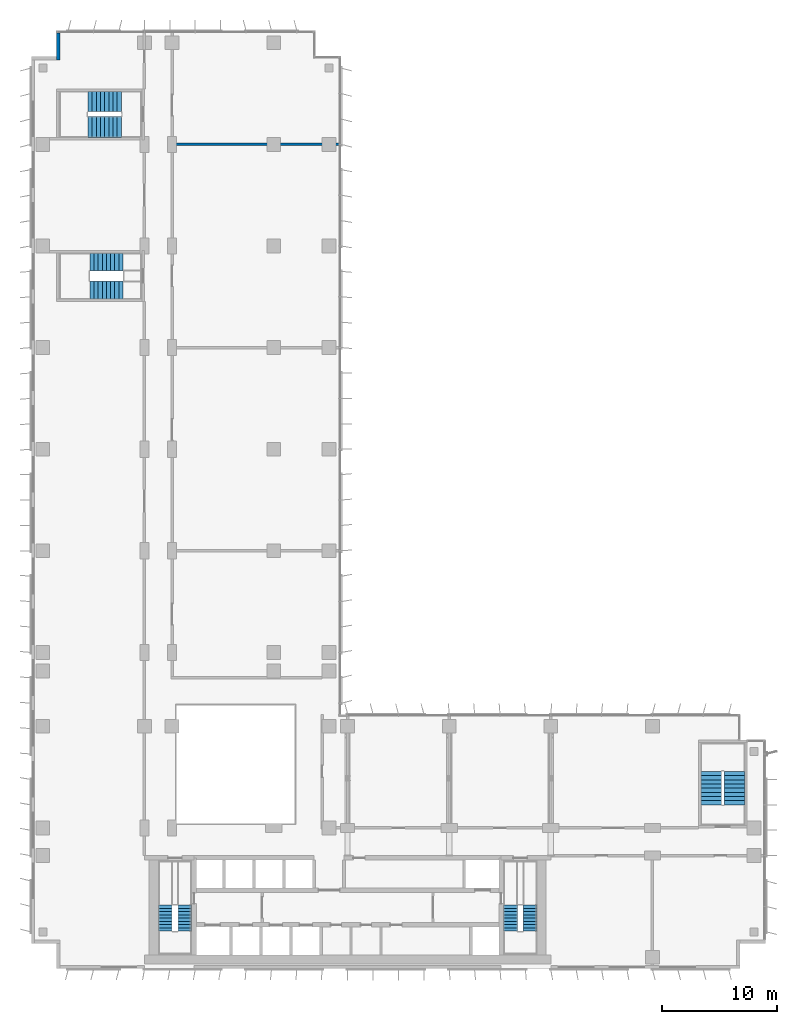
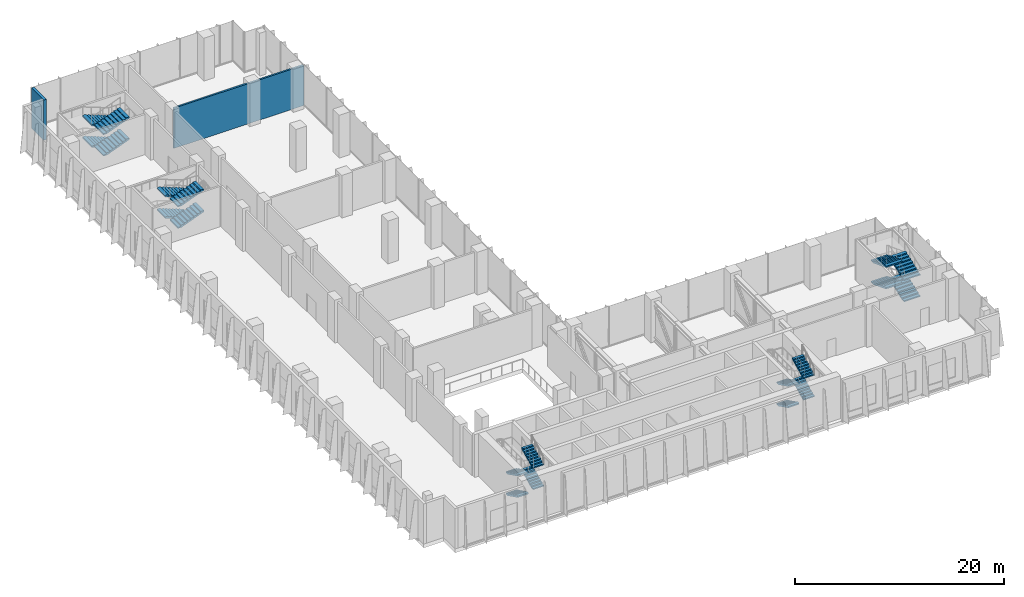
# One storey, part 15 of 21: 20 stair flights, 2 walls, 5 elements without a shape of their own.
"""IFC4 building model written with IfcOpenShell, lengths in metres."""

from ifc_helpers import new_model, si_unit, direction, frame, frame_2d, origin, place, context, subcontext, project, spatial, polyline, rectangle, outline, extrude, material, layer, layer_set, type_object, element, aggregate, save


model = new_model("IFC4")

# Units and contexts
model_context = context("Model", 3, precision=1e-05, world=origin(), true_north=direction((0.0, 1.0)))
body_context = subcontext(model_context, "Body", "Model", "MODEL_VIEW")
ifc_project = project(units=[si_unit("LENGTHUNIT", "METRE"), si_unit("AREAUNIT", "SQUARE_METRE"), si_unit("VOLUMEUNIT", "CUBIC_METRE"), si_unit("PLANEANGLEUNIT", "RADIAN"), si_unit("MASSUNIT", "GRAM", prefix="KILO")], contexts=[model_context])

# Site, building, storey
site_placement = place(None, origin())
site = spatial("IfcSite", under=ifc_project, at=site_placement, CompositionType="ELEMENT")
building_placement = place(site_placement, origin())
building = spatial("IfcBuilding", under=site, at=building_placement, Name="Kemantara Hotel Tower", CompositionType="ELEMENT")
storey_placement = place(building_placement, frame((0.0, 0.0, 133.300048828125)))
storey = spatial("IfcBuildingStorey", under=building, at=storey_placement, Name="L32", CompositionType="ELEMENT", Elevation=133.300048828125)

# Walls
ifc_material_1 = material(Name="Bronze anodised aluminium cladding on insulated steel stud wall", Category="steel")
ifc_layer_1 = layer(ifc_material_1, 0.300048828125)
ifc_layer_set_1 = layer_set([ifc_layer_1], Name="Bronze anodised aluminium cladding on insulated steel stud wall")
wall_type_1 = type_object("IfcWallType", Name="BRONZE METAL-CLAD EXTERNAL WALL 300", PredefinedType="STANDARD", material=ifc_layer_set_1)
wall_1_placement = place(storey_placement, frame((2.35009765625, 81.050048828125, 0.0), z_axis=(0.0, 0.0, 1.0), x_axis=(0.0, -1.0, 0.0)))
element("IfcWall", 1, at=wall_1_placement, inside=storey, type_object=wall_type_1, Name="EXTERNAL WALL L32 T2-R02", PredefinedType="STANDARD", context=body_context, shape_type="SweptSolid", body=[
    extrude(rectangle(XDim=2.35009765625, YDim=0.300048828125, at=frame_2d((1.175048828125, 0.0))), origin(), (0.0, 0.0, 1.0), 4.699951171875),
])
ifc_material_2 = material(Name="Clay brick masonry", Category="masonry")
ifc_layer_2 = layer(ifc_material_2, 0.199951171875)
ifc_layer_set_2 = layer_set([ifc_layer_2], Name="Clay brick masonry")
wall_type_2 = type_object("IfcWallType", Name="FIRE-RATED CLAY BRICK WALL 200 EI 120", PredefinedType="PARTITIONING", material=ifc_layer_set_2)
wall_2_placement = place(storey_placement, frame((12.300048828125, 71.39990234375, 0.0), z_axis=(0.0, 0.0, 1.0), x_axis=(1.0, 0.0, 0.0)))
element("IfcWall", 2, at=wall_2_placement, inside=storey, type_object=wall_type_2, Name="FIRE WALL", PredefinedType="PARTITIONING", context=body_context, shape_type="SweptSolid", body=[
    extrude(rectangle(XDim=14.349853515625, YDim=0.199951171875, at=frame_2d((7.1748046875, 0.0))), origin(), (0.0, 0.0, 1.0), 4.699951171875),
])

# Stair, stair flights
ifc_material_3 = material(Name="Concrete fc 40 MPa", Category="concrete")
stair_type_1 = type_object("IfcStairType", Name="Stair 1200 wide 36 risers of 139 x 280 mm", PredefinedType="HALF_TURN_STAIR", material=ifc_material_3)
stair_1_placement = place(storey_placement, origin())
stair_1 = element("IfcStair", 3, at=stair_1_placement, inside=storey, type_object=stair_type_1, Name="L32 Exit stair ST1", PredefinedType="HALF_TURN_STAIR")
stair_flight_type_1 = type_object("IfcStairFlightType", Name="Stair flight 1200 wide 139 x 280 mm", PredefinedType="STRAIGHT", material=ifc_material_3)
stair_flight_1_placement = place(storey_placement, frame((11.60009765625, 5.5, 0.0), z_axis=(0.0, 0.0, 1.0), x_axis=(0.0, -1.0, 0.0)))
stair_flight_1 = element("IfcStairFlight", 4, at=stair_flight_1_placement, type_object=stair_flight_type_1, Name="ST1 flight 1", NumberOfRisers=9, NumberOfTreads=8, PredefinedType="STRAIGHT", RiserHeight=0.138888889, TreadLength=0.28, context=body_context, shape_type="SweptSolid", body=[
    extrude(outline(polyline([(0.0, 0.0), (0.0, 0.138916015625), (0.280029296875, 0.138916015625), (0.280029296875, 0.27783203125), (0.56005859375, 0.27783203125), (0.56005859375, 0.416748046875), (0.840087890625, 0.416748046875), (0.840087890625, 0.5556640625), (1.1201171875, 0.5556640625), (1.1201171875, 0.6943359375), (1.39990234375, 0.6943359375), (1.39990234375, 0.833251953125), (1.679931640625, 0.833251953125), (1.679931640625, 0.97216796875), (1.9599609375, 0.97216796875), (1.9599609375, 1.111083984375), (2.239990234375, 1.111083984375), (2.239990234375, 1.25), (2.239990234375, 0.94384765625), (0.33740234375, 0.0), (0.0, 0.0)])), frame((0.0, 0.60009765625, 0.0), z_axis=(0.0, -1.0, 0.0), x_axis=(1.0, 0.0, 0.0)), (0.0, 0.0, 1.0), 1.199951171875),
])
stair_flight_2_placement = place(storey_placement, frame((13.300048828125, 3.260009765625, 1.25), z_axis=(0.0, 0.0, 1.0), x_axis=(0.0, 1.0, 0.0)))
stair_flight_2 = element("IfcStairFlight", 5, at=stair_flight_2_placement, type_object=stair_flight_type_1, Name="ST1 flight 2", NumberOfRisers=9, NumberOfTreads=8, PredefinedType="STRAIGHT", RiserHeight=0.138888889, TreadLength=0.28, context=body_context, shape_type="SweptSolid", body=[
    extrude(outline(polyline([(0.0, 0.0), (0.0, 0.138916015625), (0.280029296875, 0.138916015625), (0.280029296875, 0.27783203125), (0.56005859375, 0.27783203125), (0.56005859375, 0.416748046875), (0.840087890625, 0.416748046875), (0.840087890625, 0.5556640625), (1.1201171875, 0.5556640625), (1.1201171875, 0.6943359375), (1.39990234375, 0.6943359375), (1.39990234375, 0.833251953125), (1.679931640625, 0.833251953125), (1.679931640625, 0.97216796875), (1.9599609375, 0.97216796875), (1.9599609375, 1.111083984375), (2.239990234375, 1.111083984375), (2.239990234375, 1.25), (2.239990234375, 0.94384765625), (0.33740234375, 0.0), (0.0, 0.0)])), frame((0.0, 0.60009765625, 0.0), z_axis=(0.0, -1.0, 0.0), x_axis=(1.0, 0.0, 0.0)), (0.0, 0.0, 1.0), 1.199951171875),
])
stair_flight_3_placement = place(storey_placement, frame((11.60009765625, 5.5, 2.5), z_axis=(0.0, 0.0, 1.0), x_axis=(0.0, -1.0, 0.0)))
stair_flight_3 = element("IfcStairFlight", 6, at=stair_flight_3_placement, type_object=stair_flight_type_1, Name="ST1 flight 3", NumberOfRisers=9, NumberOfTreads=8, PredefinedType="STRAIGHT", RiserHeight=0.138888889, TreadLength=0.28, context=body_context, shape_type="SweptSolid", body=[
    extrude(outline(polyline([(0.0, 0.0), (0.0, 0.138916015625), (0.280029296875, 0.138916015625), (0.280029296875, 0.27783203125), (0.56005859375, 0.27783203125), (0.56005859375, 0.416748046875), (0.840087890625, 0.416748046875), (0.840087890625, 0.5556640625), (1.1201171875, 0.5556640625), (1.1201171875, 0.6943359375), (1.39990234375, 0.6943359375), (1.39990234375, 0.833251953125), (1.679931640625, 0.833251953125), (1.679931640625, 0.97216796875), (1.9599609375, 0.97216796875), (1.9599609375, 1.111083984375), (2.239990234375, 1.111083984375), (2.239990234375, 1.25), (2.239990234375, 0.94384765625), (0.33740234375, 0.0), (0.0, 0.0)])), frame((0.0, 0.60009765625, 0.0), z_axis=(0.0, -1.0, 0.0), x_axis=(1.0, 0.0, 0.0)), (0.0, 0.0, 1.0), 1.199951171875),
])
stair_flight_4_placement = place(storey_placement, frame((13.300048828125, 3.260009765625, 3.75), z_axis=(0.0, 0.0, 1.0), x_axis=(0.0, 1.0, 0.0)))
stair_flight_4 = element("IfcStairFlight", 7, at=stair_flight_4_placement, type_object=stair_flight_type_1, Name="ST1 flight 4", NumberOfRisers=9, NumberOfTreads=8, PredefinedType="STRAIGHT", RiserHeight=0.138888889, TreadLength=0.28, context=body_context, shape_type="SweptSolid", body=[
    extrude(outline(polyline([(0.0, 0.0), (0.0, 0.138916015625), (0.280029296875, 0.138916015625), (0.280029296875, 0.27783203125), (0.56005859375, 0.27783203125), (0.56005859375, 0.416748046875), (0.840087890625, 0.416748046875), (0.840087890625, 0.5556640625), (1.1201171875, 0.5556640625), (1.1201171875, 0.6943359375), (1.39990234375, 0.6943359375), (1.39990234375, 0.833251953125), (1.679931640625, 0.833251953125), (1.679931640625, 0.97216796875), (1.9599609375, 0.97216796875), (1.9599609375, 1.111083984375), (2.239990234375, 1.111083984375), (2.239990234375, 1.25), (2.239990234375, 0.94384765625), (0.33740234375, 0.0), (0.0, 0.0)])), frame((0.0, 0.60009765625, 0.0), z_axis=(0.0, -1.0, 0.0), x_axis=(1.0, 0.0, 0.0)), (0.0, 0.0, 1.0), 1.199951171875),
])
aggregate(stair_1, [stair_flight_1, stair_flight_2, stair_flight_3, stair_flight_4])

stair_2_placement = place(storey_placement, origin())
stair_2 = element("IfcStair", 8, at=stair_2_placement, inside=storey, type_object=stair_type_1, Name="L32 Exit stair ST2", PredefinedType="HALF_TURN_STAIR")
stair_flight_5_placement = place(storey_placement, frame((41.5, 5.5, 0.0), z_axis=(0.0, 0.0, 1.0), x_axis=(0.0, -1.0, 0.0)))
stair_flight_5 = element("IfcStairFlight", 9, at=stair_flight_5_placement, type_object=stair_flight_type_1, Name="ST2 flight 1", NumberOfRisers=9, NumberOfTreads=8, PredefinedType="STRAIGHT", RiserHeight=0.138888889, TreadLength=0.28, context=body_context, shape_type="SweptSolid", body=[
    extrude(outline(polyline([(0.0, 0.0), (0.0, 0.138916015625), (0.280029296875, 0.138916015625), (0.280029296875, 0.27783203125), (0.56005859375, 0.27783203125), (0.56005859375, 0.416748046875), (0.840087890625, 0.416748046875), (0.840087890625, 0.5556640625), (1.1201171875, 0.5556640625), (1.1201171875, 0.6943359375), (1.39990234375, 0.6943359375), (1.39990234375, 0.833251953125), (1.679931640625, 0.833251953125), (1.679931640625, 0.97216796875), (1.9599609375, 0.97216796875), (1.9599609375, 1.111083984375), (2.239990234375, 1.111083984375), (2.239990234375, 1.25), (2.239990234375, 0.94384765625), (0.33740234375, 0.0), (0.0, 0.0)])), frame((0.0, 0.60009765625, 0.0), z_axis=(0.0, -1.0, 0.0), x_axis=(1.0, 0.0, 0.0)), (0.0, 0.0, 1.0), 1.199951171875),
])
stair_flight_6_placement = place(storey_placement, frame((43.199951171875, 3.260009765625, 1.25), z_axis=(0.0, 0.0, 1.0), x_axis=(0.0, 1.0, 0.0)))
stair_flight_6 = element("IfcStairFlight", 10, at=stair_flight_6_placement, type_object=stair_flight_type_1, Name="ST2 flight 2", NumberOfRisers=9, NumberOfTreads=8, PredefinedType="STRAIGHT", RiserHeight=0.138888889, TreadLength=0.28, context=body_context, shape_type="SweptSolid", body=[
    extrude(outline(polyline([(0.0, 0.0), (0.0, 0.138916015625), (0.280029296875, 0.138916015625), (0.280029296875, 0.27783203125), (0.56005859375, 0.27783203125), (0.56005859375, 0.416748046875), (0.840087890625, 0.416748046875), (0.840087890625, 0.5556640625), (1.1201171875, 0.5556640625), (1.1201171875, 0.6943359375), (1.39990234375, 0.6943359375), (1.39990234375, 0.833251953125), (1.679931640625, 0.833251953125), (1.679931640625, 0.97216796875), (1.9599609375, 0.97216796875), (1.9599609375, 1.111083984375), (2.239990234375, 1.111083984375), (2.239990234375, 1.25), (2.239990234375, 0.94384765625), (0.33740234375, 0.0), (0.0, 0.0)])), frame((0.0, 0.60009765625, 0.0), z_axis=(0.0, -1.0, 0.0), x_axis=(1.0, 0.0, 0.0)), (0.0, 0.0, 1.0), 1.199951171875),
])
stair_flight_7_placement = place(storey_placement, frame((41.5, 5.5, 2.5), z_axis=(0.0, 0.0, 1.0), x_axis=(0.0, -1.0, 0.0)))
stair_flight_7 = element("IfcStairFlight", 11, at=stair_flight_7_placement, type_object=stair_flight_type_1, Name="ST2 flight 3", NumberOfRisers=9, NumberOfTreads=8, PredefinedType="STRAIGHT", RiserHeight=0.138888889, TreadLength=0.28, context=body_context, shape_type="SweptSolid", body=[
    extrude(outline(polyline([(0.0, 0.0), (0.0, 0.138916015625), (0.280029296875, 0.138916015625), (0.280029296875, 0.27783203125), (0.56005859375, 0.27783203125), (0.56005859375, 0.416748046875), (0.840087890625, 0.416748046875), (0.840087890625, 0.5556640625), (1.1201171875, 0.5556640625), (1.1201171875, 0.6943359375), (1.39990234375, 0.6943359375), (1.39990234375, 0.833251953125), (1.679931640625, 0.833251953125), (1.679931640625, 0.97216796875), (1.9599609375, 0.97216796875), (1.9599609375, 1.111083984375), (2.239990234375, 1.111083984375), (2.239990234375, 1.25), (2.239990234375, 0.94384765625), (0.33740234375, 0.0), (0.0, 0.0)])), frame((0.0, 0.60009765625, 0.0), z_axis=(0.0, -1.0, 0.0), x_axis=(1.0, 0.0, 0.0)), (0.0, 0.0, 1.0), 1.199951171875),
])
stair_flight_8_placement = place(storey_placement, frame((43.199951171875, 3.260009765625, 3.75), z_axis=(0.0, 0.0, 1.0), x_axis=(0.0, 1.0, 0.0)))
stair_flight_8 = element("IfcStairFlight", 12, at=stair_flight_8_placement, type_object=stair_flight_type_1, Name="ST2 flight 4", NumberOfRisers=9, NumberOfTreads=8, PredefinedType="STRAIGHT", RiserHeight=0.138888889, TreadLength=0.28, context=body_context, shape_type="SweptSolid", body=[
    extrude(outline(polyline([(0.0, 0.0), (0.0, 0.138916015625), (0.280029296875, 0.138916015625), (0.280029296875, 0.27783203125), (0.56005859375, 0.27783203125), (0.56005859375, 0.416748046875), (0.840087890625, 0.416748046875), (0.840087890625, 0.5556640625), (1.1201171875, 0.5556640625), (1.1201171875, 0.6943359375), (1.39990234375, 0.6943359375), (1.39990234375, 0.833251953125), (1.679931640625, 0.833251953125), (1.679931640625, 0.97216796875), (1.9599609375, 0.97216796875), (1.9599609375, 1.111083984375), (2.239990234375, 1.111083984375), (2.239990234375, 1.25), (2.239990234375, 0.94384765625), (0.33740234375, 0.0), (0.0, 0.0)])), frame((0.0, 0.60009765625, 0.0), z_axis=(0.0, -1.0, 0.0), x_axis=(1.0, 0.0, 0.0)), (0.0, 0.0, 1.0), 1.199951171875),
])
aggregate(stair_2, [stair_flight_5, stair_flight_6, stair_flight_7, stair_flight_8])

stair_type_2 = type_object("IfcStairType", Name="Stair 1550 wide 36 risers of 139 x 360 mm", PredefinedType="HALF_TURN_STAIR", material=ifc_material_3)
stair_3_placement = place(storey_placement, origin())
stair_3 = element("IfcStair", 13, at=stair_3_placement, inside=storey, type_object=stair_type_2, Name="L32 Exit stair ST4", PredefinedType="HALF_TURN_STAIR")
stair_flight_type_2 = type_object("IfcStairFlightType", Name="Stair flight 1550 wide 139 x 360 mm", PredefinedType="STRAIGHT", material=ifc_material_3)
stair_flight_9_placement = place(storey_placement, frame((7.949951171875, 61.22509765625, 0.0), z_axis=(0.0, 0.0, 1.0), x_axis=(-1.0, 0.0, 0.0)))
stair_flight_9 = element("IfcStairFlight", 14, at=stair_flight_9_placement, type_object=stair_flight_type_2, Name="ST4 flight 1", NumberOfRisers=9, NumberOfTreads=8, PredefinedType="STRAIGHT", RiserHeight=0.138888889, TreadLength=0.36, context=body_context, shape_type="SweptSolid", body=[
    extrude(outline(polyline([(0.0, 0.0), (0.0, 0.138916015625), (0.360107421875, 0.138916015625), (0.360107421875, 0.27783203125), (0.719970703125, 0.27783203125), (0.719970703125, 0.416748046875), (1.080078125, 0.416748046875), (1.080078125, 0.5556640625), (1.43994140625, 0.5556640625), (1.43994140625, 0.6943359375), (1.800048828125, 0.6943359375), (1.800048828125, 0.833251953125), (2.159912109375, 0.833251953125), (2.159912109375, 0.97216796875), (2.52001953125, 0.97216796875), (2.52001953125, 1.111083984375), (2.8798828125, 1.111083984375), (2.8798828125, 1.25), (2.8798828125, 0.950439453125), (0.41650390625, 0.0), (0.0, 0.0)])), frame((0.0, 0.77490234375, 0.0), z_axis=(0.0, -1.0, 0.0), x_axis=(1.0, 0.0, 0.0)), (0.0, 0.0, 1.0), 1.550048828125),
])
stair_flight_10_placement = place(storey_placement, frame((5.070068359375, 58.77490234375, 1.25), z_axis=(0.0, 0.0, 1.0), x_axis=(1.0, 0.0, 0.0)))
stair_flight_10 = element("IfcStairFlight", 15, at=stair_flight_10_placement, type_object=stair_flight_type_2, Name="ST4 flight 2", NumberOfRisers=9, NumberOfTreads=8, PredefinedType="STRAIGHT", RiserHeight=0.138888889, TreadLength=0.36, context=body_context, shape_type="SweptSolid", body=[
    extrude(outline(polyline([(0.0, 0.0), (0.0, 0.138916015625), (0.360107421875, 0.138916015625), (0.360107421875, 0.27783203125), (0.719970703125, 0.27783203125), (0.719970703125, 0.416748046875), (1.080078125, 0.416748046875), (1.080078125, 0.5556640625), (1.43994140625, 0.5556640625), (1.43994140625, 0.6943359375), (1.800048828125, 0.6943359375), (1.800048828125, 0.833251953125), (2.159912109375, 0.833251953125), (2.159912109375, 0.97216796875), (2.52001953125, 0.97216796875), (2.52001953125, 1.111083984375), (2.8798828125, 1.111083984375), (2.8798828125, 1.25), (2.8798828125, 0.950439453125), (0.41650390625, 0.0), (0.0, 0.0)])), frame((0.0, 0.77490234375, 0.0), z_axis=(0.0, -1.0, 0.0), x_axis=(1.0, 0.0, 0.0)), (0.0, 0.0, 1.0), 1.550048828125),
])
stair_flight_11_placement = place(storey_placement, frame((7.949951171875, 61.22509765625, 2.5), z_axis=(0.0, 0.0, 1.0), x_axis=(-1.0, 0.0, 0.0)))
stair_flight_11 = element("IfcStairFlight", 16, at=stair_flight_11_placement, type_object=stair_flight_type_2, Name="ST4 flight 3", NumberOfRisers=9, NumberOfTreads=8, PredefinedType="STRAIGHT", RiserHeight=0.138888889, TreadLength=0.36, context=body_context, shape_type="SweptSolid", body=[
    extrude(outline(polyline([(0.0, 0.0), (0.0, 0.138916015625), (0.360107421875, 0.138916015625), (0.360107421875, 0.27783203125), (0.719970703125, 0.27783203125), (0.719970703125, 0.416748046875), (1.080078125, 0.416748046875), (1.080078125, 0.5556640625), (1.43994140625, 0.5556640625), (1.43994140625, 0.6943359375), (1.800048828125, 0.6943359375), (1.800048828125, 0.833251953125), (2.159912109375, 0.833251953125), (2.159912109375, 0.97216796875), (2.52001953125, 0.97216796875), (2.52001953125, 1.111083984375), (2.8798828125, 1.111083984375), (2.8798828125, 1.25), (2.8798828125, 0.950439453125), (0.41650390625, 0.0), (0.0, 0.0)])), frame((0.0, 0.77490234375, 0.0), z_axis=(0.0, -1.0, 0.0), x_axis=(1.0, 0.0, 0.0)), (0.0, 0.0, 1.0), 1.550048828125),
])
stair_flight_12_placement = place(storey_placement, frame((5.070068359375, 58.77490234375, 3.75), z_axis=(0.0, 0.0, 1.0), x_axis=(1.0, 0.0, 0.0)))
stair_flight_12 = element("IfcStairFlight", 17, at=stair_flight_12_placement, type_object=stair_flight_type_2, Name="ST4 flight 4", NumberOfRisers=9, NumberOfTreads=8, PredefinedType="STRAIGHT", RiserHeight=0.138888889, TreadLength=0.36, context=body_context, shape_type="SweptSolid", body=[
    extrude(outline(polyline([(0.0, 0.0), (0.0, 0.138916015625), (0.360107421875, 0.138916015625), (0.360107421875, 0.27783203125), (0.719970703125, 0.27783203125), (0.719970703125, 0.416748046875), (1.080078125, 0.416748046875), (1.080078125, 0.5556640625), (1.43994140625, 0.5556640625), (1.43994140625, 0.6943359375), (1.800048828125, 0.6943359375), (1.800048828125, 0.833251953125), (2.159912109375, 0.833251953125), (2.159912109375, 0.97216796875), (2.52001953125, 0.97216796875), (2.52001953125, 1.111083984375), (2.8798828125, 1.111083984375), (2.8798828125, 1.25), (2.8798828125, 0.950439453125), (0.41650390625, 0.0), (0.0, 0.0)])), frame((0.0, 0.77490234375, 0.0), z_axis=(0.0, -1.0, 0.0), x_axis=(1.0, 0.0, 0.0)), (0.0, 0.0, 1.0), 1.550048828125),
])
aggregate(stair_3, [stair_flight_9, stair_flight_10, stair_flight_11, stair_flight_12])

stair_type_3 = type_object("IfcStairType", Name="Stair 1800 wide 36 risers of 139 x 360 mm", PredefinedType="HALF_TURN_STAIR", material=ifc_material_3)
stair_4_placement = place(storey_placement, origin())
stair_4 = element("IfcStair", 18, at=stair_4_placement, inside=storey, type_object=stair_type_3, Name="L32 Exit stair ST3", PredefinedType="HALF_TURN_STAIR")
stair_flight_type_3 = type_object("IfcStairFlightType", Name="Stair flight 1800 wide 139 x 360 mm", PredefinedType="STRAIGHT", material=ifc_material_3)
stair_flight_13_placement = place(storey_placement, frame((60.89990234375, 14.199951171875, 0.0), z_axis=(0.0, 0.0, 1.0), x_axis=(0.0, 1.0, 0.0)))
stair_flight_13 = element("IfcStairFlight", 19, at=stair_flight_13_placement, type_object=stair_flight_type_3, Name="ST3 flight 1", NumberOfRisers=9, NumberOfTreads=8, PredefinedType="STRAIGHT", RiserHeight=0.138888889, TreadLength=0.36, context=body_context, shape_type="SweptSolid", body=[
    extrude(outline(polyline([(0.0, 0.0), (0.0, 0.138916015625), (0.360107421875, 0.138916015625), (0.360107421875, 0.27783203125), (0.719970703125, 0.27783203125), (0.719970703125, 0.416748046875), (1.080078125, 0.416748046875), (1.080078125, 0.5556640625), (1.43994140625, 0.5556640625), (1.43994140625, 0.6943359375), (1.800048828125, 0.6943359375), (1.800048828125, 0.833251953125), (2.159912109375, 0.833251953125), (2.159912109375, 0.97216796875), (2.52001953125, 0.97216796875), (2.52001953125, 1.111083984375), (2.8798828125, 1.111083984375), (2.8798828125, 1.25), (2.8798828125, 0.950439453125), (0.41650390625, 0.0), (0.0, 0.0)])), frame((0.0, 0.89990234375, 0.0), z_axis=(0.0, -1.0, 0.0), x_axis=(1.0, 0.0, 0.0)), (0.0, 0.0, 1.0), 1.800048828125),
])
stair_flight_14_placement = place(storey_placement, frame((58.89990234375, 17.080078125, 1.25), z_axis=(0.0, 0.0, 1.0), x_axis=(0.0, -1.0, 0.0)))
stair_flight_14 = element("IfcStairFlight", 20, at=stair_flight_14_placement, type_object=stair_flight_type_3, Name="ST3 flight 2", NumberOfRisers=9, NumberOfTreads=8, PredefinedType="STRAIGHT", RiserHeight=0.138888889, TreadLength=0.36, context=body_context, shape_type="SweptSolid", body=[
    extrude(outline(polyline([(0.0, 0.0), (0.0, 0.138916015625), (0.360107421875, 0.138916015625), (0.360107421875, 0.27783203125), (0.719970703125, 0.27783203125), (0.719970703125, 0.416748046875), (1.080078125, 0.416748046875), (1.080078125, 0.5556640625), (1.43994140625, 0.5556640625), (1.43994140625, 0.6943359375), (1.800048828125, 0.6943359375), (1.800048828125, 0.833251953125), (2.159912109375, 0.833251953125), (2.159912109375, 0.97216796875), (2.52001953125, 0.97216796875), (2.52001953125, 1.111083984375), (2.8798828125, 1.111083984375), (2.8798828125, 1.25), (2.8798828125, 0.950439453125), (0.41650390625, 0.0), (0.0, 0.0)])), frame((0.0, 0.89990234375, 0.0), z_axis=(0.0, -1.0, 0.0), x_axis=(1.0, 0.0, 0.0)), (0.0, 0.0, 1.0), 1.800048828125),
])
stair_flight_15_placement = place(storey_placement, frame((60.89990234375, 14.199951171875, 2.5), z_axis=(0.0, 0.0, 1.0), x_axis=(0.0, 1.0, 0.0)))
stair_flight_15 = element("IfcStairFlight", 21, at=stair_flight_15_placement, type_object=stair_flight_type_3, Name="ST3 flight 3", NumberOfRisers=9, NumberOfTreads=8, PredefinedType="STRAIGHT", RiserHeight=0.138888889, TreadLength=0.36, context=body_context, shape_type="SweptSolid", body=[
    extrude(outline(polyline([(0.0, 0.0), (0.0, 0.138916015625), (0.360107421875, 0.138916015625), (0.360107421875, 0.27783203125), (0.719970703125, 0.27783203125), (0.719970703125, 0.416748046875), (1.080078125, 0.416748046875), (1.080078125, 0.5556640625), (1.43994140625, 0.5556640625), (1.43994140625, 0.6943359375), (1.800048828125, 0.6943359375), (1.800048828125, 0.833251953125), (2.159912109375, 0.833251953125), (2.159912109375, 0.97216796875), (2.52001953125, 0.97216796875), (2.52001953125, 1.111083984375), (2.8798828125, 1.111083984375), (2.8798828125, 1.25), (2.8798828125, 0.950439453125), (0.41650390625, 0.0), (0.0, 0.0)])), frame((0.0, 0.89990234375, 0.0), z_axis=(0.0, -1.0, 0.0), x_axis=(1.0, 0.0, 0.0)), (0.0, 0.0, 1.0), 1.800048828125),
])
stair_flight_16_placement = place(storey_placement, frame((58.89990234375, 17.080078125, 3.75), z_axis=(0.0, 0.0, 1.0), x_axis=(0.0, -1.0, 0.0)))
stair_flight_16 = element("IfcStairFlight", 22, at=stair_flight_16_placement, type_object=stair_flight_type_3, Name="ST3 flight 4", NumberOfRisers=9, NumberOfTreads=8, PredefinedType="STRAIGHT", RiserHeight=0.138888889, TreadLength=0.36, context=body_context, shape_type="SweptSolid", body=[
    extrude(outline(polyline([(0.0, 0.0), (0.0, 0.138916015625), (0.360107421875, 0.138916015625), (0.360107421875, 0.27783203125), (0.719970703125, 0.27783203125), (0.719970703125, 0.416748046875), (1.080078125, 0.416748046875), (1.080078125, 0.5556640625), (1.43994140625, 0.5556640625), (1.43994140625, 0.6943359375), (1.800048828125, 0.6943359375), (1.800048828125, 0.833251953125), (2.159912109375, 0.833251953125), (2.159912109375, 0.97216796875), (2.52001953125, 0.97216796875), (2.52001953125, 1.111083984375), (2.8798828125, 1.111083984375), (2.8798828125, 1.25), (2.8798828125, 0.950439453125), (0.41650390625, 0.0), (0.0, 0.0)])), frame((0.0, 0.89990234375, 0.0), z_axis=(0.0, -1.0, 0.0), x_axis=(1.0, 0.0, 0.0)), (0.0, 0.0, 1.0), 1.800048828125),
])
aggregate(stair_4, [stair_flight_13, stair_flight_14, stair_flight_15, stair_flight_16])

stair_5_placement = place(storey_placement, origin())
stair_5 = element("IfcStair", 23, at=stair_5_placement, inside=storey, type_object=stair_type_3, Name="L32 Exit stair ST6", PredefinedType="HALF_TURN_STAIR")
stair_flight_17_placement = place(storey_placement, frame((7.800048828125, 75.10009765625, 0.0), z_axis=(0.0, 0.0, 1.0), x_axis=(-1.0, 0.0, 0.0)))
stair_flight_17 = element("IfcStairFlight", 24, at=stair_flight_17_placement, type_object=stair_flight_type_3, Name="ST6 flight 1", NumberOfRisers=9, NumberOfTreads=8, PredefinedType="STRAIGHT", RiserHeight=0.138888889, TreadLength=0.36, context=body_context, shape_type="SweptSolid", body=[
    extrude(outline(polyline([(0.0, 0.0), (0.0, 0.138916015625), (0.360107421875, 0.138916015625), (0.360107421875, 0.27783203125), (0.719970703125, 0.27783203125), (0.719970703125, 0.416748046875), (1.080078125, 0.416748046875), (1.080078125, 0.5556640625), (1.43994140625, 0.5556640625), (1.43994140625, 0.6943359375), (1.800048828125, 0.6943359375), (1.800048828125, 0.833251953125), (2.159912109375, 0.833251953125), (2.159912109375, 0.97216796875), (2.52001953125, 0.97216796875), (2.52001953125, 1.111083984375), (2.8798828125, 1.111083984375), (2.8798828125, 1.25), (2.8798828125, 0.950439453125), (0.41650390625, 0.0), (0.0, 0.0)])), frame((0.0, 0.89990234375, 0.0), z_axis=(0.0, -1.0, 0.0), x_axis=(1.0, 0.0, 0.0)), (0.0, 0.0, 1.0), 1.800048828125),
])
stair_flight_18_placement = place(storey_placement, frame((4.919921875, 72.89990234375, 1.25), z_axis=(0.0, 0.0, 1.0), x_axis=(1.0, 0.0, 0.0)))
stair_flight_18 = element("IfcStairFlight", 25, at=stair_flight_18_placement, type_object=stair_flight_type_3, Name="ST6 flight 2", NumberOfRisers=9, NumberOfTreads=8, PredefinedType="STRAIGHT", RiserHeight=0.138888889, TreadLength=0.36, context=body_context, shape_type="SweptSolid", body=[
    extrude(outline(polyline([(0.0, 0.0), (0.0, 0.138916015625), (0.360107421875, 0.138916015625), (0.360107421875, 0.27783203125), (0.719970703125, 0.27783203125), (0.719970703125, 0.416748046875), (1.080078125, 0.416748046875), (1.080078125, 0.5556640625), (1.43994140625, 0.5556640625), (1.43994140625, 0.6943359375), (1.800048828125, 0.6943359375), (1.800048828125, 0.833251953125), (2.159912109375, 0.833251953125), (2.159912109375, 0.97216796875), (2.52001953125, 0.97216796875), (2.52001953125, 1.111083984375), (2.8798828125, 1.111083984375), (2.8798828125, 1.25), (2.8798828125, 0.950439453125), (0.41650390625, 0.0), (0.0, 0.0)])), frame((0.0, 0.89990234375, 0.0), z_axis=(0.0, -1.0, 0.0), x_axis=(1.0, 0.0, 0.0)), (0.0, 0.0, 1.0), 1.800048828125),
])
stair_flight_19_placement = place(storey_placement, frame((7.800048828125, 75.10009765625, 2.5), z_axis=(0.0, 0.0, 1.0), x_axis=(-1.0, 0.0, 0.0)))
stair_flight_19 = element("IfcStairFlight", 26, at=stair_flight_19_placement, type_object=stair_flight_type_3, Name="ST6 flight 3", NumberOfRisers=9, NumberOfTreads=8, PredefinedType="STRAIGHT", RiserHeight=0.138888889, TreadLength=0.36, context=body_context, shape_type="SweptSolid", body=[
    extrude(outline(polyline([(0.0, 0.0), (0.0, 0.138916015625), (0.360107421875, 0.138916015625), (0.360107421875, 0.27783203125), (0.719970703125, 0.27783203125), (0.719970703125, 0.416748046875), (1.080078125, 0.416748046875), (1.080078125, 0.5556640625), (1.43994140625, 0.5556640625), (1.43994140625, 0.6943359375), (1.800048828125, 0.6943359375), (1.800048828125, 0.833251953125), (2.159912109375, 0.833251953125), (2.159912109375, 0.97216796875), (2.52001953125, 0.97216796875), (2.52001953125, 1.111083984375), (2.8798828125, 1.111083984375), (2.8798828125, 1.25), (2.8798828125, 0.950439453125), (0.41650390625, 0.0), (0.0, 0.0)])), frame((0.0, 0.89990234375, 0.0), z_axis=(0.0, -1.0, 0.0), x_axis=(1.0, 0.0, 0.0)), (0.0, 0.0, 1.0), 1.800048828125),
])
stair_flight_20_placement = place(storey_placement, frame((4.919921875, 72.89990234375, 3.75), z_axis=(0.0, 0.0, 1.0), x_axis=(1.0, 0.0, 0.0)))
stair_flight_20 = element("IfcStairFlight", 27, at=stair_flight_20_placement, type_object=stair_flight_type_3, Name="ST6 flight 4", NumberOfRisers=9, NumberOfTreads=8, PredefinedType="STRAIGHT", RiserHeight=0.138888889, TreadLength=0.36, context=body_context, shape_type="SweptSolid", body=[
    extrude(outline(polyline([(0.0, 0.0), (0.0, 0.138916015625), (0.360107421875, 0.138916015625), (0.360107421875, 0.27783203125), (0.719970703125, 0.27783203125), (0.719970703125, 0.416748046875), (1.080078125, 0.416748046875), (1.080078125, 0.5556640625), (1.43994140625, 0.5556640625), (1.43994140625, 0.6943359375), (1.800048828125, 0.6943359375), (1.800048828125, 0.833251953125), (2.159912109375, 0.833251953125), (2.159912109375, 0.97216796875), (2.52001953125, 0.97216796875), (2.52001953125, 1.111083984375), (2.8798828125, 1.111083984375), (2.8798828125, 1.25), (2.8798828125, 0.950439453125), (0.41650390625, 0.0), (0.0, 0.0)])), frame((0.0, 0.89990234375, 0.0), z_axis=(0.0, -1.0, 0.0), x_axis=(1.0, 0.0, 0.0)), (0.0, 0.0, 1.0), 1.800048828125),
])
aggregate(stair_5, [stair_flight_17, stair_flight_18, stair_flight_19, stair_flight_20])

save(model, "model.ifc")
